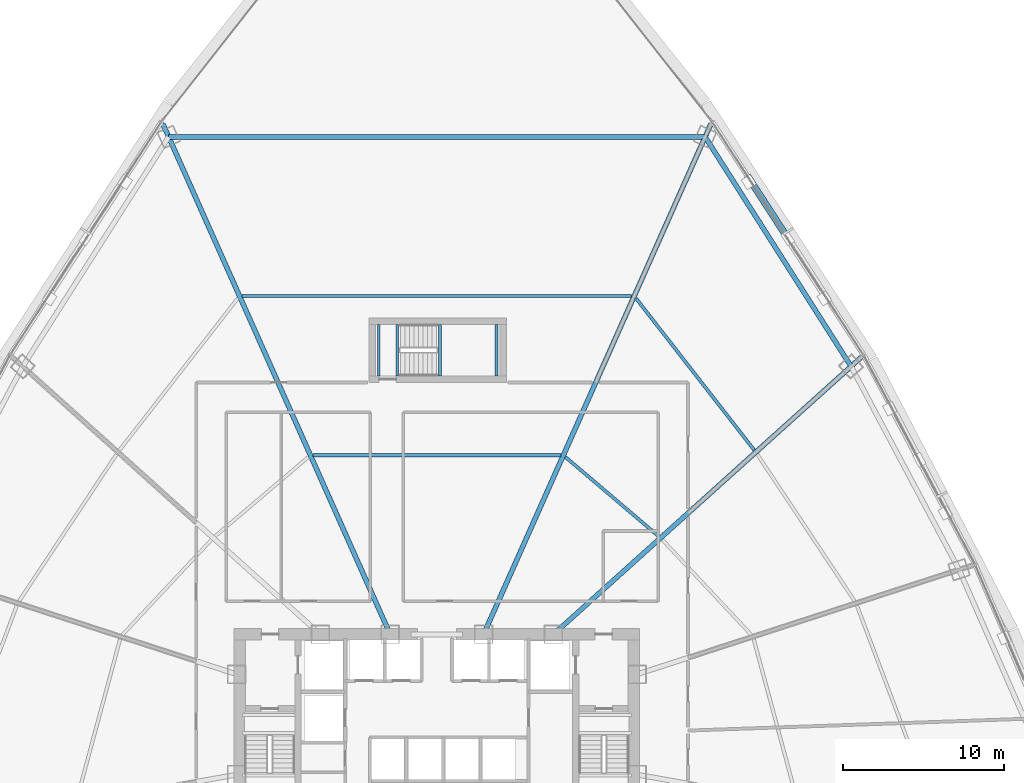
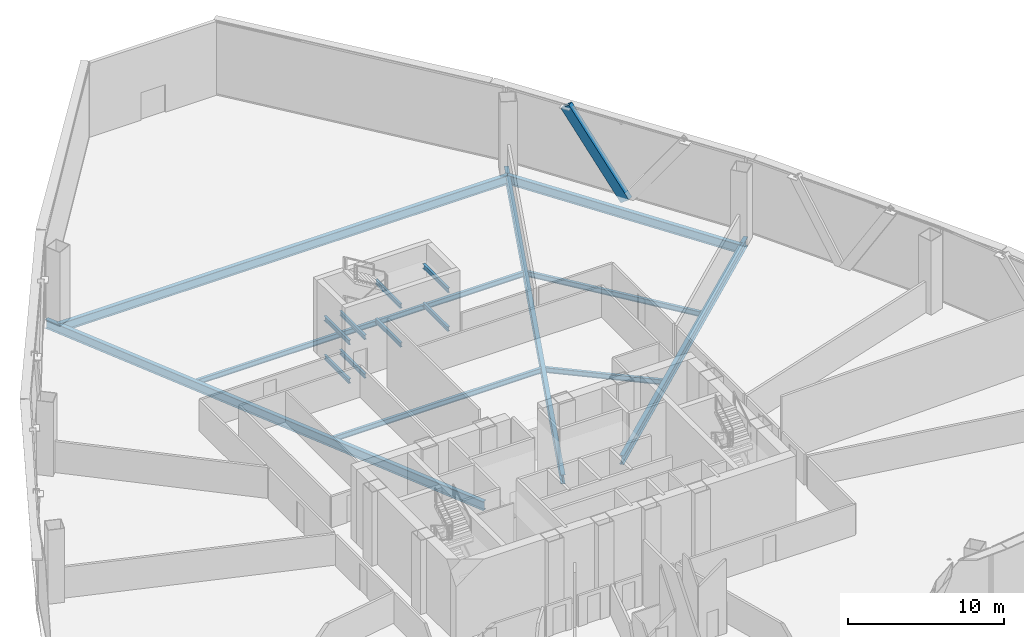
# One storey, part 19 of 41: 17 beams, 1 member.
"""IFC4 building model written with IfcOpenShell, lengths in metres."""

from ifc_helpers import new_model, si_unit, direction, frame, origin, origin_2d, place, context, subcontext, project, spatial, hollow_rectangle, i_section, extrude, source, transform, mapped, material, material_profile, profile_set, type_object, element, save


model = new_model("IFC4")

# Units and contexts
model_context = context("Model", 3, precision=1e-05, world=origin(), true_north=direction((0.0, 1.0)))
body_context = subcontext(model_context, "Body", "Model", "MODEL_VIEW")
ifc_project = project(units=[si_unit("LENGTHUNIT", "METRE"), si_unit("AREAUNIT", "SQUARE_METRE"), si_unit("VOLUMEUNIT", "CUBIC_METRE"), si_unit("PLANEANGLEUNIT", "RADIAN"), si_unit("MASSUNIT", "GRAM", prefix="KILO"), si_unit("THERMODYNAMICTEMPERATUREUNIT", "KELVIN"), si_unit("POWERUNIT", "WATT")], contexts=[model_context])

# Site, building, storey
site_placement = place(None, origin())
site = spatial("IfcSite", under=ifc_project, at=site_placement, CompositionType="ELEMENT")
building_placement = place(site_placement, origin())
building = spatial("IfcBuilding", under=site, at=building_placement, Name="Yunzhuo Pagoda Commons", CompositionType="ELEMENT")
storey_placement = place(building_placement, frame((0.0, 0.0, 70.330078125)))
storey = spatial("IfcBuildingStorey", under=building, at=storey_placement, Name="L18", CompositionType="ELEMENT", Elevation=70.330078125)

# Beams
ifc_material_1 = material(Name="Structural steel Q355B", Category="steel")
ifc_material_profile_1 = material_profile(ifc_material_1, i_section(OverallWidth=0.175048828125, OverallDepth=0.35009765625, WebThickness=0.007080078125, FlangeThickness=0.010986328125, at=origin_2d()), Name="Structural steel Q355B")
ifc_profile_set_1 = profile_set([ifc_material_profile_1], Name="Structural steel Q355B")
beam_type_1 = type_object("IfcBeamType", Name="B-JS2 Joist HN 350x175x7x11", PredefinedType="JOIST", material=ifc_profile_set_1)
shared_shape_1 = source(origin(), body_context, "Body", "SweptSolid", [
    extrude(i_section(OverallWidth=0.175048828125, OverallDepth=0.35009765625, WebThickness=0.007080078125, FlangeThickness=0.010986328125, at=origin_2d()), origin(), (0.0, 0.0, 1.0), 3.199951171875),
])
for number, where, z_axis, x_axis, name in (
    (1, (48.18994140625, 56.199951171875, 1.137451171875), (0.0, 1.0, 0.0), (-1.0, 0.0, 0.0), "L18 ST3 landing support beam 22A"),
    (2, (51.699951171875, 56.199951171875, 1.137451171875), (0.0, 1.0, 0.0), (-1.0, 0.0, 0.0), "L18 ST3 landing support beam 22B"),
    (3, (44.39990234375, 56.199951171875, 2.650146484375), (0.0, 1.0, 0.0), (-1.0, 0.0, 0.0), "L18 ST3 landing support beam 23A"),
    (4, (45.550048828125, 56.199951171875, 2.650146484375), (0.0, 1.0, 0.0), (-1.0, 0.0, 0.0), "L18 ST3 landing support beam 23B"),
    (5, (48.18994140625, 56.199951171875, 4.162353515625), (0.0, 1.0, 0.0), (-1.0, 0.0, 0.0), "L18 ST3 landing support beam 24A"),
    (6, (51.699951171875, 56.199951171875, 4.162353515625), (0.0, 1.0, 0.0), (-1.0, 0.0, 0.0), "L18 ST3 landing support beam 24B"),
    (7, (44.39990234375, 56.199951171875, -0.375), (0.0, 1.0, 0.0), (-1.0, 0.0, 0.0), "L18 ST3 landing support beam 92A"),
    (8, (45.550048828125, 56.199951171875, -0.375), (0.0, 1.0, 0.0), (-1.0, 0.0, 0.0), "L18 ST3 landing support beam 92B"),
):
    element("IfcBeam", number, at=place(storey_placement, frame(where, z_axis=z_axis, x_axis=x_axis)), inside=storey, type_object=beam_type_1, Name=name, PredefinedType="JOIST", context=body_context, shape_type="MappedRepresentation", body=[
        mapped(shared_shape_1, transform((0.0, 0.0, 0.0), scale=1.0)),
    ])
ifc_material_profile_2 = material_profile(ifc_material_1, i_section(OverallWidth=0.300048828125, OverallDepth=0.699951171875, WebThickness=0.012939453125, FlangeThickness=0.02392578125, at=origin_2d()), Name="Structural steel Q355B")
ifc_profile_set_2 = profile_set([ifc_material_profile_2], Name="Structural steel Q355B")
beam_type_2 = type_object("IfcBeamType", Name="B-RG1 Beam HN 700x300x13x24", PredefinedType="BEAM", material=ifc_profile_set_2)
shared_shape_2 = source(origin(), body_context, "Body", "SweptSolid", [
    extrude(i_section(OverallWidth=0.300048828125, OverallDepth=0.699951171875, WebThickness=0.012939453125, FlangeThickness=0.02392578125, at=origin_2d()), origin(), (0.0, 0.0, 1.0), 16.843994140625),
])
beam_1_placement = place(storey_placement, frame((73.648681640625, 56.79443359375, -0.610107421875), z_axis=(-0.536558458992, 0.843863152462, 0.0), x_axis=(-0.843863152462, -0.536558458992, 0.0)))
element("IfcBeam", 9, at=beam_1_placement, inside=storey, type_object=beam_type_2, Name="L18 column-ring beam 7", PredefinedType="BEAM", context=body_context, shape_type="MappedRepresentation", body=[
    mapped(shared_shape_2, transform((0.0, 0.0, 0.0), scale=1.0)),
])
shared_shape_3 = source(origin(), body_context, "Body", "SweptSolid", [
    extrude(i_section(OverallWidth=0.300048828125, OverallDepth=0.699951171875, WebThickness=0.012939453125, FlangeThickness=0.02392578125, at=origin_2d()), origin(), (0.0, 0.0, 1.0), 33.2216796875),
])
beam_2_placement = place(storey_placement, frame((64.61083984375, 71.008544921875, -0.610107421875), z_axis=(-1.0, 0.0, 0.0), x_axis=(0.0, -1.0, 0.0)))
element("IfcBeam", 10, at=beam_2_placement, inside=storey, type_object=beam_type_2, Name="L18 column-ring beam 8", PredefinedType="BEAM", context=body_context, shape_type="MappedRepresentation", body=[
    mapped(shared_shape_3, transform((0.0, 0.0, 0.0), scale=1.0)),
])
ifc_material_profile_3 = material_profile(ifc_material_1, i_section(OverallWidth=0.199951171875, OverallDepth=0.39990234375, WebThickness=0.008056640625, FlangeThickness=0.012939453125, at=origin_2d()), Name="Structural steel Q355B")
ifc_profile_set_3 = profile_set([ifc_material_profile_3], Name="Structural steel Q355B")
beam_type_3 = type_object("IfcBeamType", Name="B-JS1 Joist HN 400x200x8x13", PredefinedType="JOIST", material=ifc_profile_set_3)
shared_shape_4 = source(origin(), body_context, "Body", "SweptSolid", [
    extrude(i_section(OverallWidth=0.199951171875, OverallDepth=0.39990234375, WebThickness=0.008056640625, FlangeThickness=0.012939453125, at=origin_2d()), origin(), (0.0, 0.0, 1.0), 7.583984375),
])
beam_3_placement = place(storey_placement, frame((61.732421875, 46.277099609375, -0.4599609375), z_axis=(-0.762037799133, 0.647532541803, 0.0), x_axis=(-0.647532541803, -0.762037799133, 0.0)))
element("IfcBeam", 11, at=beam_3_placement, inside=storey, type_object=beam_type_3, Name="L18 composite ring joist 1.7", PredefinedType="JOIST", context=body_context, shape_type="MappedRepresentation", body=[
    mapped(shared_shape_4, transform((0.0, 0.0, 0.0), scale=1.0)),
])
shared_shape_5 = source(origin(), body_context, "Body", "SweptSolid", [
    extrude(i_section(OverallWidth=0.199951171875, OverallDepth=0.39990234375, WebThickness=0.008056640625, FlangeThickness=0.012939453125, at=origin_2d()), origin(), (0.0, 0.0, 1.0), 11.9345703125),
])
beam_4_placement = place(storey_placement, frame((67.65380859375, 51.609619140625, -0.4599609375), z_axis=(-0.614572048085, 0.788860696012, 0.0), x_axis=(-0.788860696012, -0.614572048085, 0.0)))
element("IfcBeam", 12, at=beam_4_placement, inside=storey, type_object=beam_type_3, Name="L18 composite ring joist 2.7", PredefinedType="JOIST", context=body_context, shape_type="MappedRepresentation", body=[
    mapped(shared_shape_5, transform((0.0, 0.0, 0.0), scale=1.0)),
])
shared_shape_6 = source(origin(), body_context, "Body", "SweptSolid", [
    extrude(i_section(OverallWidth=0.199951171875, OverallDepth=0.39990234375, WebThickness=0.008056640625, FlangeThickness=0.012939453125, at=origin_2d()), origin(), (0.0, 0.0, 1.0), 15.34619140625),
])
beam_5_placement = place(storey_placement, frame((55.673095703125, 51.291015625, -0.4599609375), z_axis=(-1.0, 0.0, 0.0), x_axis=(0.0, -1.0, 0.0)))
element("IfcBeam", 13, at=beam_5_placement, inside=storey, type_object=beam_type_3, Name="L18 composite ring joist 1.8", PredefinedType="JOIST", context=body_context, shape_type="MappedRepresentation", body=[
    mapped(shared_shape_6, transform((0.0, 0.0, 0.0), scale=1.0)),
])
shared_shape_7 = source(origin(), body_context, "Body", "SweptSolid", [
    extrude(i_section(OverallWidth=0.199951171875, OverallDepth=0.39990234375, WebThickness=0.008056640625, FlangeThickness=0.012939453125, at=origin_2d()), origin(), (0.0, 0.0, 1.0), 24.125),
])
beam_6_placement = place(storey_placement, frame((60.0625, 61.14990234375, -0.4599609375), z_axis=(-1.0, 0.0, 0.0), x_axis=(0.0, -1.0, 0.0)))
element("IfcBeam", 14, at=beam_6_placement, inside=storey, type_object=beam_type_3, Name="L18 composite ring joist 2.8", PredefinedType="JOIST", context=body_context, shape_type="MappedRepresentation", body=[
    mapped(shared_shape_7, transform((0.0, 0.0, 0.0), scale=1.0)),
])
shared_shape_8 = source(origin(), body_context, "Body", "SweptSolid", [
    extrude(i_section(OverallWidth=0.300048828125, OverallDepth=0.699951171875, WebThickness=0.012939453125, FlangeThickness=0.02392578125, at=origin_2d()), origin(), (0.0, 0.0, 1.0), 25.694580078125),
])
beam_7_placement = place(storey_placement, frame((74.313720703125, 57.39306640625, -0.610107421875), z_axis=(-0.743141995852, -0.669133748963, 0.0), x_axis=(0.669133748963, -0.743141995852, 0.0)))
element("IfcBeam", 15, at=beam_7_placement, inside=storey, type_object=beam_type_2, Name="L18 radial floor girder F2C3", PredefinedType="BEAM", context=body_context, shape_type="MappedRepresentation", body=[
    mapped(shared_shape_8, transform((0.0, 0.0, 0.0), scale=1.0)),
])
shared_shape_9 = source(origin(), body_context, "Body", "SweptSolid", [
    extrude(i_section(OverallWidth=0.300048828125, OverallDepth=0.699951171875, WebThickness=0.012939453125, FlangeThickness=0.02392578125, at=origin_2d()), origin(), (0.0, 0.0, 1.0), 34.619384765625),
])
beam_8_placement = place(storey_placement, frame((64.97509765625, 71.826171875, -0.610107421875), z_axis=(-0.406740356088, -0.913543804494, 0.0), x_axis=(0.913543804494, -0.406740356088, 0.0)))
element("IfcBeam", 16, at=beam_8_placement, inside=storey, type_object=beam_type_2, Name="L18 radial floor girder F2C4", PredefinedType="BEAM", context=body_context, shape_type="MappedRepresentation", body=[
    mapped(shared_shape_9, transform((0.0, 0.0, 0.0), scale=1.0)),
])
shared_shape_10 = source(origin(), body_context, "Body", "SweptSolid", [
    extrude(i_section(OverallWidth=0.300048828125, OverallDepth=0.699951171875, WebThickness=0.012939453125, FlangeThickness=0.02392578125, at=origin_2d()), origin(), (0.0, 0.0, 1.0), 34.619140625),
])
beam_9_placement = place(storey_placement, frame((31.025390625, 71.826171875, -0.610107421875), z_axis=(0.406728585054, -0.913549045263, 0.0), x_axis=(0.913549045263, 0.406728585054, 0.0)))
element("IfcBeam", 17, at=beam_9_placement, inside=storey, type_object=beam_type_2, Name="L18 radial floor girder F3C1", PredefinedType="BEAM", context=body_context, shape_type="MappedRepresentation", body=[
    mapped(shared_shape_10, transform((0.0, 0.0, 0.0), scale=1.0)),
])

# Member
ifc_material_2 = material(Name="Structural steel Q420B", Category="steel")
ifc_material_profile_4 = material_profile(ifc_material_2, hollow_rectangle(XDim=0.419921875, YDim=0.719970703125, WallThickness=0.028076171875, at=origin_2d()), Name="Structural steel Q420B")
ifc_profile_set_4 = profile_set([ifc_material_profile_4], Name="Structural steel Q420B")
member_type = type_object("IfcMemberType", Name="M-DL1 Brace BOX 720x420x28", PredefinedType="BRACE", material=ifc_profile_set_4)
shared_shape_11 = source(origin(), body_context, "Body", "SweptSolid", [
    extrude(hollow_rectangle(XDim=0.419921875, YDim=0.719970703125, WallThickness=0.028076171875, at=origin_2d()), origin(), (0.0, 0.0, 1.0), 7.41357421875),
])
member_placement = place(storey_placement, frame((69.7333984375, 64.732177734375, -0.260009765625), z_axis=(-0.316667064448, 0.488008447178, 0.813369366141), x_axis=(-0.83886627845, -0.544337548659, 0.0)))
element("IfcMember", 18, at=member_placement, inside=storey, type_object=member_type, Name="L18 facade diamond brace F2.3R", PredefinedType="BRACE", context=body_context, shape_type="MappedRepresentation", body=[
    mapped(shared_shape_11, transform((0.0, 0.0, 0.0), scale=1.0)),
])

save(model, "model.ifc")
